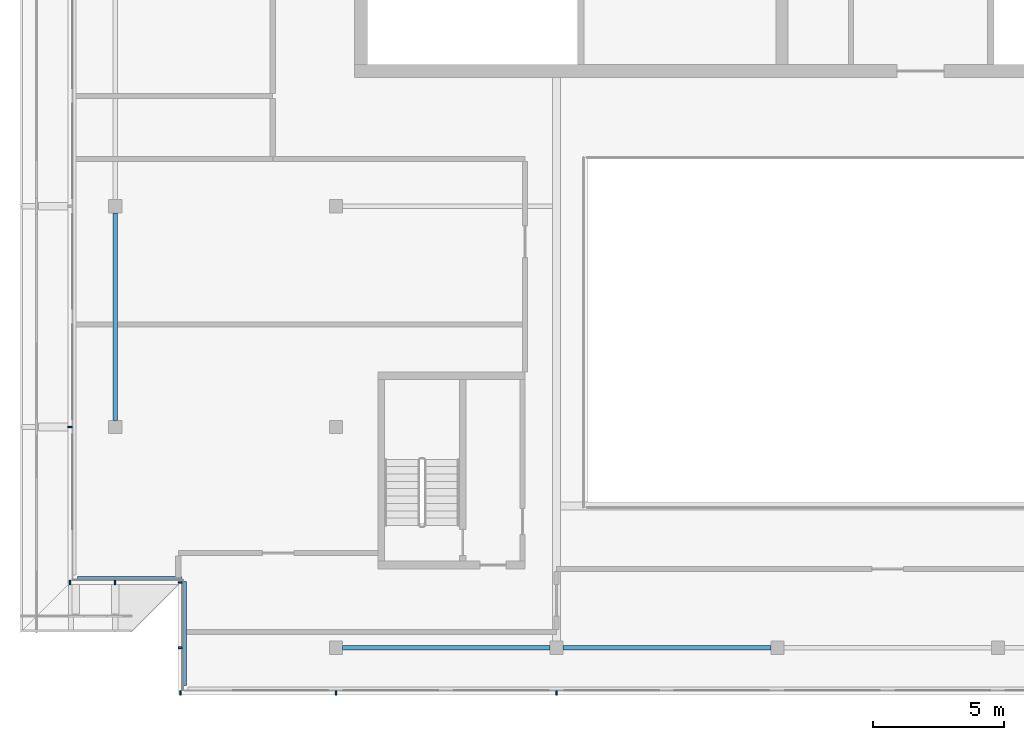
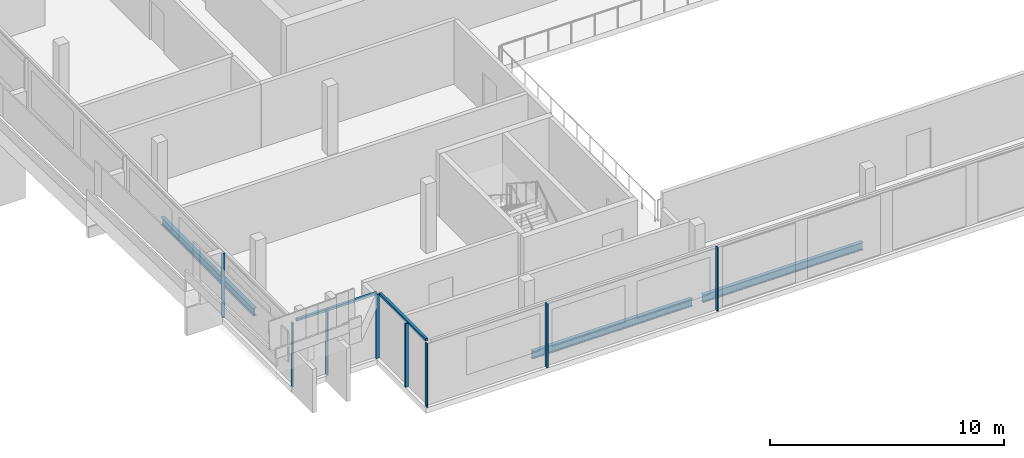
# One storey, part 2 of 20: 10 members, 3 beams, 4 elements without a shape of their own.
"""IFC4 building model written with IfcOpenShell, lengths in metres."""

from ifc_helpers import new_model, si_unit, direction, frame, origin, origin_2d, place, context, subcontext, project, spatial, rectangle, i_section, extrude, material, material_profile, profile_set, type_object, element, aggregate, save


model = new_model("IFC4")

# Units and contexts
model_context = context("Model", 3, precision=1e-05, world=origin(), true_north=direction((0.0, 1.0)))
body_context = subcontext(model_context, "Body", "Model", "MODEL_VIEW")
ifc_project = project(units=[si_unit("LENGTHUNIT", "METRE"), si_unit("AREAUNIT", "SQUARE_METRE"), si_unit("VOLUMEUNIT", "CUBIC_METRE"), si_unit("PLANEANGLEUNIT", "RADIAN"), si_unit("MASSUNIT", "GRAM", prefix="KILO")], contexts=[model_context])

# Site, building, storey
site_placement = place(None, origin())
site = spatial("IfcSite", under=ifc_project, at=site_placement, CompositionType="ELEMENT")
building_placement = place(site_placement, origin())
building = spatial("IfcBuilding", under=site, at=building_placement, Name="Saffron Gate Tower", CompositionType="ELEMENT")
storey_placement = place(building_placement, frame((0.0, 0.0, 303.14990234375)))
storey = spatial("IfcBuildingStorey", under=building, at=storey_placement, Name="L74", CompositionType="ELEMENT", Elevation=303.14990234375)

# Beams
ifc_material_1 = material(Name="Structural steel S355", Category="steel")
ifc_material_profile_1 = material_profile(ifc_material_1, i_section(OverallWidth=0.179931640625, OverallDepth=0.39990234375, WebThickness=0.008544921875, FlangeThickness=0.013427734375, FilletRadius=0.02099609375, at=origin_2d()))
ifc_profile_set_1 = profile_set([ifc_material_profile_1], Name="Structural steel S355")
beam_type = type_object("IfcBeamType", Name="B5 IPE 400", PredefinedType="SPANDREL", material=ifc_profile_set_1)
for number, where, z_axis, x_axis, name in (
    (1, (58.199951171875, 48.85009765625, -0.47998046875), (0.0, 1.0, 0.0), (-1.0, 0.0, 0.0), "B5 SPANDREL BEAM"),
    (2, (66.85009765625, 40.199951171875, -0.47998046875), (1.0, 0.0, 0.0), (0.0, 1.0, 0.0), "B5 SPANDREL BEAM"),
    (3, (75.25, 40.199951171875, -0.47998046875), (1.0, 0.0, 0.0), (0.0, 1.0, 0.0), "B5 SPANDREL BEAM"),
):
    element("IfcBeam", number, at=place(storey_placement, frame(where, z_axis=z_axis, x_axis=x_axis)), inside=storey, type_object=beam_type, Name=name, PredefinedType="SPANDREL", context=body_context, shape_type="SweptSolid", body=[
        extrude(i_section(OverallWidth=0.179931640625, OverallDepth=0.39990234375, WebThickness=0.008544921875, FlangeThickness=0.013427734375, FilletRadius=0.02099609375, at=origin_2d()), origin(), (0.0, 0.0, 1.0), 7.89990234375),
    ])

# Curtain wall, members
ifc_material_2 = material(Name="Aluminium, bronze anodised", Category="aluminium")
curtain_wall_type_1 = type_object("IfcCurtainWallType", Name="CWS1 curtain wall front facade", PredefinedType="NOTDEFINED", material=ifc_material_2)
curtain_wall_1_placement = place(storey_placement, origin())
curtain_wall_1 = element("IfcCurtainWall", 4, at=curtain_wall_1_placement, inside=storey, type_object=curtain_wall_type_1, Name="CWS1 run 1", PredefinedType="NOTDEFINED")
ifc_material_profile_2 = material_profile(ifc_material_2, rectangle(XDim=0.159912109375, YDim=0.06005859375, at=origin_2d()))
ifc_profile_set_2 = profile_set([ifc_material_profile_2], Name="Aluminium, bronze anodised")
member_type_1 = type_object("IfcMemberType", Name="CWS1 mullion 60x160", PredefinedType="MULLION", material=ifc_profile_set_2)
member_1_placement = place(storey_placement, frame((60.679931640625, 38.47998046875, 0.0), z_axis=(0.0, 0.0, 1.0), x_axis=(0.0, 1.0, 0.0)))
member_1 = element("IfcMember", 5, at=member_1_placement, type_object=member_type_1, Name="CWS1 mullion 1", PredefinedType="MULLION", context=body_context, shape_type="SweptSolid", body=[
    extrude(rectangle(XDim=0.159912109375, YDim=0.06005859375, at=origin_2d()), origin(), (0.0, 0.0, 1.0), 3.320068359375),
])
member_2_placement = place(storey_placement, frame((66.60009765625, 38.47998046875, 0.0), z_axis=(0.0, 0.0, 1.0), x_axis=(0.0, 1.0, 0.0)))
member_2 = element("IfcMember", 6, at=member_2_placement, type_object=member_type_1, Name="CWS1 mullion 2", PredefinedType="MULLION", context=body_context, shape_type="SweptSolid", body=[
    extrude(rectangle(XDim=0.159912109375, YDim=0.06005859375, at=origin_2d()), origin(), (0.0, 0.0, 1.0), 3.320068359375),
])
member_3_placement = place(storey_placement, frame((75.0, 38.47998046875, 0.0), z_axis=(0.0, 0.0, 1.0), x_axis=(0.0, 1.0, 0.0)))
member_3 = element("IfcMember", 7, at=member_3_placement, type_object=member_type_1, Name="CWS1 mullion 3", PredefinedType="MULLION", context=body_context, shape_type="SweptSolid", body=[
    extrude(rectangle(XDim=0.159912109375, YDim=0.06005859375, at=origin_2d()), origin(), (0.0, 0.0, 1.0), 3.320068359375),
])
aggregate(curtain_wall_1, [member_1, member_2, member_3])

# Curtain wall, member
curtain_wall_type_2 = type_object("IfcCurtainWallType", Name="CWS2 curtain wall side facades", PredefinedType="NOTDEFINED", material=ifc_material_2)
curtain_wall_2_placement = place(storey_placement, origin())
curtain_wall_2 = element("IfcCurtainWall", 8, at=curtain_wall_2_placement, inside=storey, type_object=curtain_wall_type_2, Name="CWS2 run 10", PredefinedType="NOTDEFINED")
ifc_material_profile_3 = material_profile(ifc_material_2, rectangle(XDim=0.159912109375, YDim=0.06005859375, at=origin_2d()))
ifc_profile_set_3 = profile_set([ifc_material_profile_3], Name="Aluminium, bronze anodised")
member_type_2 = type_object("IfcMemberType", Name="CWS2 mullion 60x160", PredefinedType="MULLION", material=ifc_profile_set_3)
member_4_placement = place(storey_placement, frame((56.47998046875, 48.60009765625, 0.0), z_axis=(0.0, 0.0, 1.0), x_axis=(1.0, 0.0, 0.0)))
member_4 = element("IfcMember", 9, at=member_4_placement, type_object=member_type_2, Name="CWS2 mullion 4", PredefinedType="MULLION", context=body_context, shape_type="SweptSolid", body=[
    extrude(rectangle(XDim=0.159912109375, YDim=0.06005859375, at=origin_2d()), origin(), (0.0, 0.0, 1.0), 3.320068359375),
])
aggregate(curtain_wall_2, [member_4])

curtain_wall_type_3 = type_object("IfcCurtainWallType", Name="CWS4 curtain wall corner returns", PredefinedType="NOTDEFINED", material=ifc_material_2)
curtain_wall_3_placement = place(storey_placement, origin())
curtain_wall_3 = element("IfcCurtainWall", 10, at=curtain_wall_3_placement, inside=storey, type_object=curtain_wall_type_3, Name="CWS4 run 11", PredefinedType="NOTDEFINED")
ifc_material_profile_4 = material_profile(ifc_material_2, rectangle(XDim=0.1201171875, YDim=0.1201171875, at=origin_2d()))
ifc_profile_set_4 = profile_set([ifc_material_profile_4], Name="Aluminium, bronze anodised")
member_type_3 = type_object("IfcMemberType", Name="CWS4 head transom", PredefinedType="USERDEFINED", material=ifc_profile_set_4)
member_5_placement = place(storey_placement, frame((56.76806640625, 42.847900390625, 3.260009765625), z_axis=(1.0, 0.0, 0.0), x_axis=(0.0, 1.0, 0.0)))
member_5 = element("IfcMember", 11, at=member_5_placement, type_object=member_type_3, Name="CWS4 head transom", ObjectType="TRANSOM", PredefinedType="USERDEFINED", context=body_context, shape_type="SweptSolid", body=[
    extrude(rectangle(XDim=0.1201171875, YDim=0.1201171875, at=origin_2d()), origin(), (0.0, 0.0, 1.0), 3.9599609375),
])

curtain_wall_4_placement = place(storey_placement, origin())
curtain_wall_4 = element("IfcCurtainWall", 12, at=curtain_wall_4_placement, inside=storey, type_object=curtain_wall_type_3, Name="CWS4 run 12", PredefinedType="NOTDEFINED")
member_6_placement = place(storey_placement, frame((60.847900390625, 42.72802734375, 3.260009765625), z_axis=(0.0, -1.0, 0.0), x_axis=(1.0, 0.0, 0.0)))
member_6 = element("IfcMember", 13, at=member_6_placement, type_object=member_type_3, Name="CWS4 head transom", ObjectType="TRANSOM", PredefinedType="USERDEFINED", context=body_context, shape_type="SweptSolid", body=[
    extrude(rectangle(XDim=0.1201171875, YDim=0.1201171875, at=origin_2d()), origin(), (0.0, 0.0, 1.0), 3.9599609375),
])

# Member
ifc_material_profile_5 = material_profile(ifc_material_2, rectangle(XDim=0.159912109375, YDim=0.06005859375, at=origin_2d()))
ifc_profile_set_5 = profile_set([ifc_material_profile_5], Name="Aluminium, bronze anodised")
member_type_4 = type_object("IfcMemberType", Name="CWS4 mullion 60x160", PredefinedType="MULLION", material=ifc_profile_set_5)
member_7_placement = place(storey_placement, frame((56.47998046875, 42.679931640625, 0.0), z_axis=(0.0, 0.0, 1.0), x_axis=(0.0, 1.0, 0.0)))
member_7 = element("IfcMember", 14, at=member_7_placement, type_object=member_type_4, Name="CWS4 mullion 1", PredefinedType="MULLION", context=body_context, shape_type="SweptSolid", body=[
    extrude(rectangle(XDim=0.159912109375, YDim=0.06005859375, at=origin_2d()), origin(), (0.0, 0.0, 1.0), 3.320068359375),
])

member_8_placement = place(storey_placement, frame((58.199951171875, 42.679931640625, 0.0), z_axis=(0.0, 0.0, 1.0), x_axis=(0.0, 1.0, 0.0)))
member_8 = element("IfcMember", 15, at=member_8_placement, type_object=member_type_4, Name="CWS4 mullion 2", PredefinedType="MULLION", context=body_context, shape_type="SweptSolid", body=[
    extrude(rectangle(XDim=0.159912109375, YDim=0.06005859375, at=origin_2d()), origin(), (0.0, 0.0, 1.0), 3.320068359375),
])

aggregate(curtain_wall_3, [member_7, member_8, member_5])

member_9_placement = place(storey_placement, frame((60.679931640625, 42.679931640625, 0.0), z_axis=(0.0, 0.0, 1.0), x_axis=(1.0, 0.0, 0.0)))
member_9 = element("IfcMember", 16, at=member_9_placement, type_object=member_type_4, Name="CWS4 mullion 1", PredefinedType="MULLION", context=body_context, shape_type="SweptSolid", body=[
    extrude(rectangle(XDim=0.159912109375, YDim=0.06005859375, at=origin_2d()), origin(), (0.0, 0.0, 1.0), 3.320068359375),
])

member_10_placement = place(storey_placement, frame((60.679931640625, 40.199951171875, 0.0), z_axis=(0.0, 0.0, 1.0), x_axis=(1.0, 0.0, 0.0)))
member_10 = element("IfcMember", 17, at=member_10_placement, type_object=member_type_4, Name="CWS4 mullion 2", PredefinedType="MULLION", context=body_context, shape_type="SweptSolid", body=[
    extrude(rectangle(XDim=0.159912109375, YDim=0.06005859375, at=origin_2d()), origin(), (0.0, 0.0, 1.0), 3.320068359375),
])

aggregate(curtain_wall_4, [member_9, member_10, member_6])

save(model, "model.ifc")
